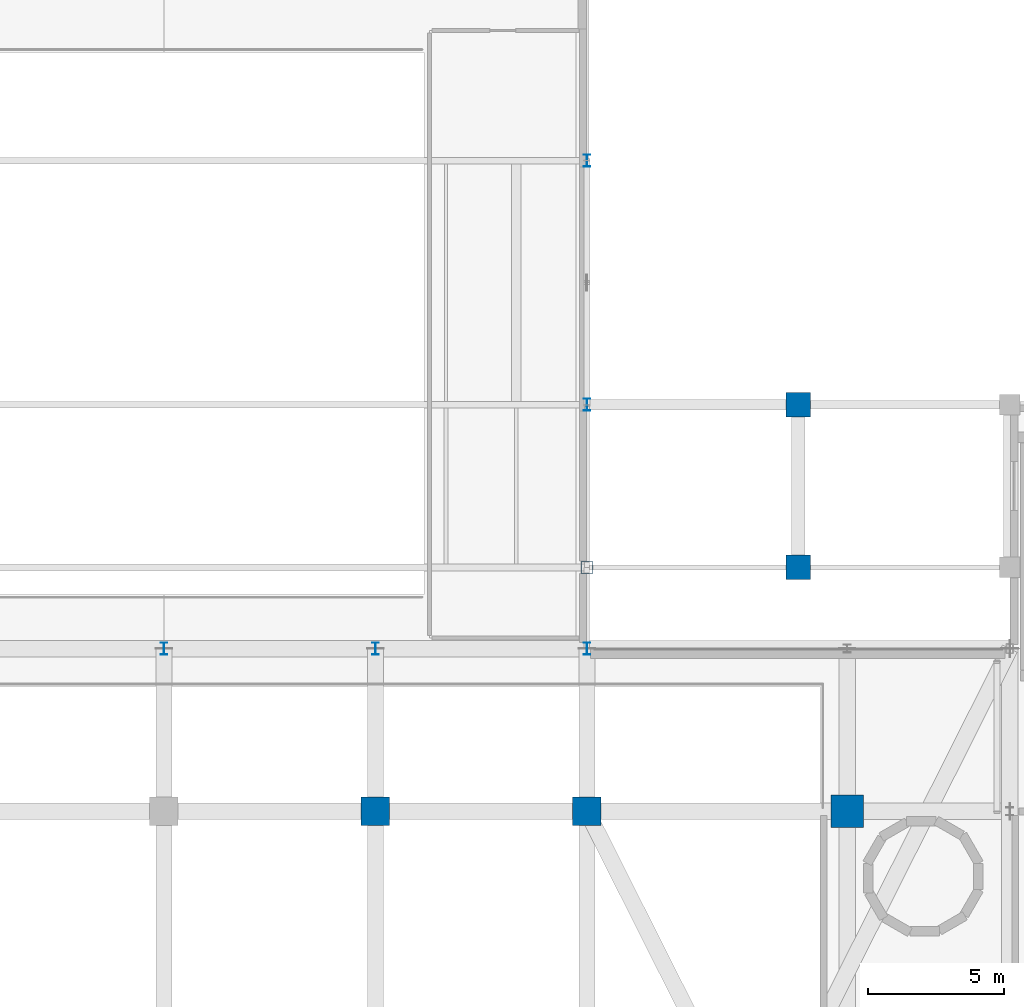
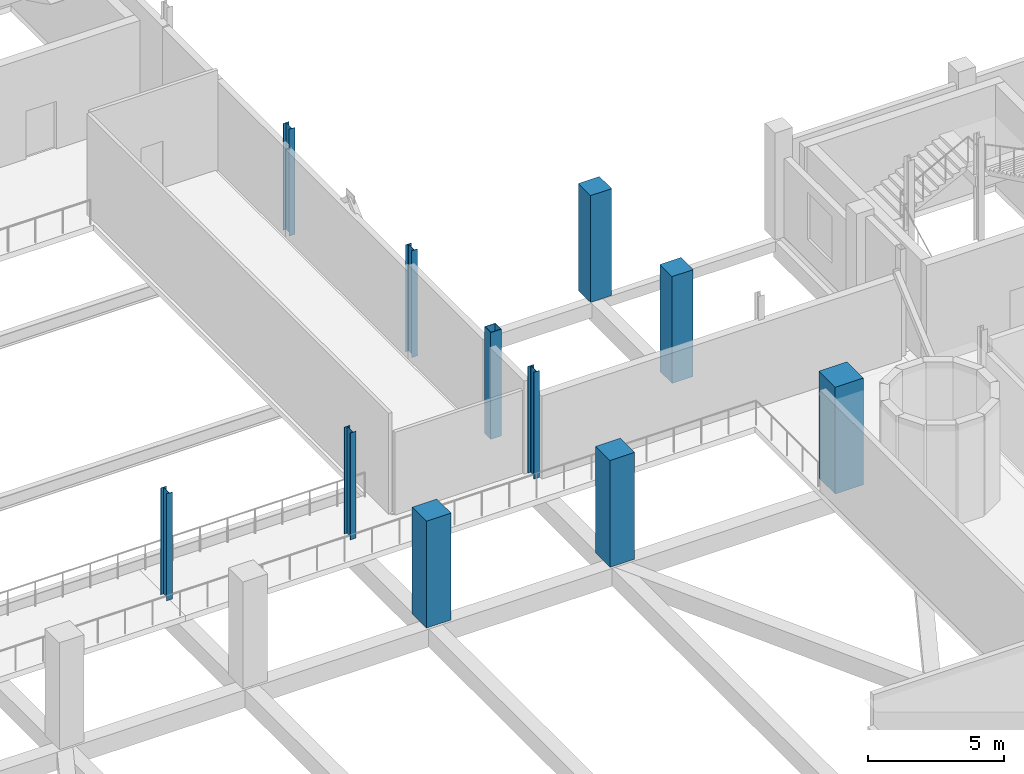
# One storey, part 8 of 100: 11 columns.
"""IFC4 building model written with IfcOpenShell, lengths in metres."""

from ifc_helpers import new_model, si_unit, derived_unit, direction, frame, origin, origin_2d, place, context, subcontext, project, spatial, rectangle, hollow_rectangle, i_section, extrude, material, material_profile, profile_set, type_object, element, save


model = new_model("IFC4")

# Units and contexts
model_context = context("Model", 3, precision=1e-05, world=origin(), true_north=direction((0.0, 1.0)))
body_context = subcontext(model_context, "Body", "Model", "MODEL_VIEW")
ifc_project = project(units=[si_unit("LENGTHUNIT", "METRE"), si_unit("AREAUNIT", "SQUARE_METRE"), si_unit("VOLUMEUNIT", "CUBIC_METRE"), si_unit("PLANEANGLEUNIT", "RADIAN"), si_unit("MASSUNIT", "GRAM", prefix="KILO"), derived_unit("THERMALTRANSMITTANCEUNIT", [(si_unit("POWERUNIT", "WATT"), 1), (si_unit("LENGTHUNIT", "METRE"), -2), (si_unit("THERMODYNAMICTEMPERATUREUNIT", "KELVIN"), -1)])], contexts=[model_context])

# Site, building, storey
site_placement = place(None, origin())
site = spatial("IfcSite", under=ifc_project, at=site_placement, CompositionType="ELEMENT")
building_placement = place(site_placement, origin())
building = spatial("IfcBuilding", under=site, at=building_placement, Name="Nallur Shell Playhouse", CompositionType="ELEMENT")
storey_placement = place(building_placement, frame((0.0, 0.0, 10.199951171875)))
storey = spatial("IfcBuildingStorey", under=building, at=storey_placement, Name="L03", CompositionType="ELEMENT", Elevation=10.199951171875)

# Columns
ifc_material_1 = material(Name="Concrete M45", Category="concrete")
ifc_material_profile_1 = material_profile(ifc_material_1, rectangle(XDim=1.050048828125, YDim=1.050048828125, at=origin_2d()), Name="RC 1050x1050")
ifc_profile_set_1 = profile_set([ifc_material_profile_1], Name="Concrete M45")
column_type_1 = type_object("IfcColumnType", Name="CL-RC-1050", PredefinedType="COLUMN", material=ifc_profile_set_1)
for number, where, z_axis, x_axis, name in (
    (1, (95.199951171875, 41.0, 0.0), (0.0, 0.0, 1.0), (1.0, 0.0, 0.0), "Column MC4N (L03)"),
    (2, (103.0, 41.0, 0.0), (0.0, 0.0, 1.0), (1.0, 0.0, 0.0), "Column MC5N (L03)"),
):
    element("IfcColumn", number, at=place(storey_placement, frame(where, z_axis=z_axis, x_axis=x_axis)), inside=storey, type_object=column_type_1, Name=name, PredefinedType="COLUMN", context=body_context, shape_type="SweptSolid", body=[
        extrude(rectangle(XDim=1.050048828125, YDim=1.050048828125, at=origin_2d()), origin(), (0.0, 0.0, 1.0), 4.800048828125),
    ])
ifc_material_profile_2 = material_profile(ifc_material_1, rectangle(XDim=1.199951171875, YDim=1.199951171875, at=origin_2d()), Name="RC 1200x1200")
ifc_profile_set_2 = profile_set([ifc_material_profile_2], Name="Concrete M45")
column_type_2 = type_object("IfcColumnType", Name="CL-RC-1200", PredefinedType="COLUMN", material=ifc_profile_set_2)
column_1_placement = place(storey_placement, frame((112.60009765625, 41.0, 0.0), z_axis=(0.0, 0.0, 1.0), x_axis=(1.0, 0.0, 0.0)))
element("IfcColumn", 3, at=column_1_placement, inside=storey, type_object=column_type_2, Name="Column MC6N (L03)", PredefinedType="COLUMN", context=body_context, shape_type="SweptSolid", body=[
    extrude(rectangle(XDim=1.199951171875, YDim=1.199951171875, at=origin_2d()), origin(), (0.0, 0.0, 1.0), 4.800048828125),
])
ifc_material_2 = material(Name="Concrete M40", Category="concrete")
ifc_material_profile_3 = material_profile(ifc_material_2, rectangle(XDim=0.89990234375, YDim=0.89990234375, at=origin_2d()), Name="RC 900x900")
ifc_profile_set_3 = profile_set([ifc_material_profile_3], Name="Concrete M40")
column_type_3 = type_object("IfcColumnType", Name="CL-RC-900", PredefinedType="COLUMN", material=ifc_profile_set_3)
for number, where, z_axis, x_axis, name in (
    (4, (110.800048828125, 50.0, 0.0), (0.0, 0.0, 1.0), (1.0, 0.0, 0.0), "Column 14-F (L03)"),
    (5, (110.800048828125, 56.0, 0.0), (0.0, 0.0, 1.0), (1.0, 0.0, 0.0), "Column 14-G (L03)"),
):
    element("IfcColumn", number, at=place(storey_placement, frame(where, z_axis=z_axis, x_axis=x_axis)), inside=storey, type_object=column_type_3, Name=name, PredefinedType="COLUMN", context=body_context, shape_type="SweptSolid", body=[
        extrude(rectangle(XDim=0.89990234375, YDim=0.89990234375, at=origin_2d()), origin(), (0.0, 0.0, 1.0), 4.800048828125),
    ])
ifc_material_3 = material(Name="Steel E350", Category="steel")
ifc_material_profile_4 = material_profile(ifc_material_3, hollow_rectangle(XDim=0.449951171875, YDim=0.449951171875, WallThickness=0.02001953125, at=origin_2d()), Name="BOX 450x450x20")
ifc_profile_set_4 = profile_set([ifc_material_profile_4], Name="Steel E350")
column_type_4 = type_object("IfcColumnType", Name="CL-ST-BOX450", PredefinedType="COLUMN", material=ifc_profile_set_4)
column_2_placement = place(storey_placement, frame((103.0, 50.0, 0.0), z_axis=(0.0, 0.0, 1.0), x_axis=(1.0, 0.0, 0.0)))
element("IfcColumn", 6, at=column_2_placement, inside=storey, type_object=column_type_4, Name="Column 13-F (L03)", PredefinedType="COLUMN", context=body_context, shape_type="SweptSolid", body=[
    extrude(hollow_rectangle(XDim=0.449951171875, YDim=0.449951171875, WallThickness=0.02001953125, at=origin_2d()), origin(), (0.0, 0.0, 1.0), 4.800048828125),
])
ifc_material_profile_5 = material_profile(ifc_material_3, i_section(OverallWidth=0.25, OverallDepth=0.449951171875, WebThickness=0.01123046875, FlangeThickness=0.013671875, FilletRadius=0.014892578125, at=origin_2d()), Name="ISHB 450")
ifc_profile_set_5 = profile_set([ifc_material_profile_5], Name="Steel E350")
column_type_5 = type_object("IfcColumnType", Name="CL-ST-ISHB450", PredefinedType="COLUMN", material=ifc_profile_set_5)
for number, where, z_axis, x_axis, name in (
    (7, (103.0, 56.0, 0.0), (0.0, 0.0, 1.0), (1.0, 0.0, 0.0), "Column 13-G (L03)"),
    (8, (103.0, 65.0, 0.0), (0.0, 0.0, 1.0), (1.0, 0.0, 0.0), "Column 13-H (L03)"),
    (9, (87.39990234375, 47.0, 0.0), (0.0, 0.0, 1.0), (1.0, 0.0, 0.0), "Column PROSC-4 (L03)"),
    (10, (95.199951171875, 47.0, 0.0), (0.0, 0.0, 1.0), (1.0, 0.0, 0.0), "Column PROSC-5 (L03)"),
    (11, (103.0, 47.0, 0.0), (0.0, 0.0, 1.0), (1.0, 0.0, 0.0), "Column PROSC-6 (L03)"),
):
    element("IfcColumn", number, at=place(storey_placement, frame(where, z_axis=z_axis, x_axis=x_axis)), inside=storey, type_object=column_type_5, Name=name, PredefinedType="COLUMN", context=body_context, shape_type="SweptSolid", body=[
        extrude(i_section(OverallWidth=0.25, OverallDepth=0.449951171875, WebThickness=0.01123046875, FlangeThickness=0.013671875, FilletRadius=0.014892578125, at=origin_2d()), origin(), (0.0, 0.0, 1.0), 4.800048828125),
    ])

save(model, "model.ifc")
